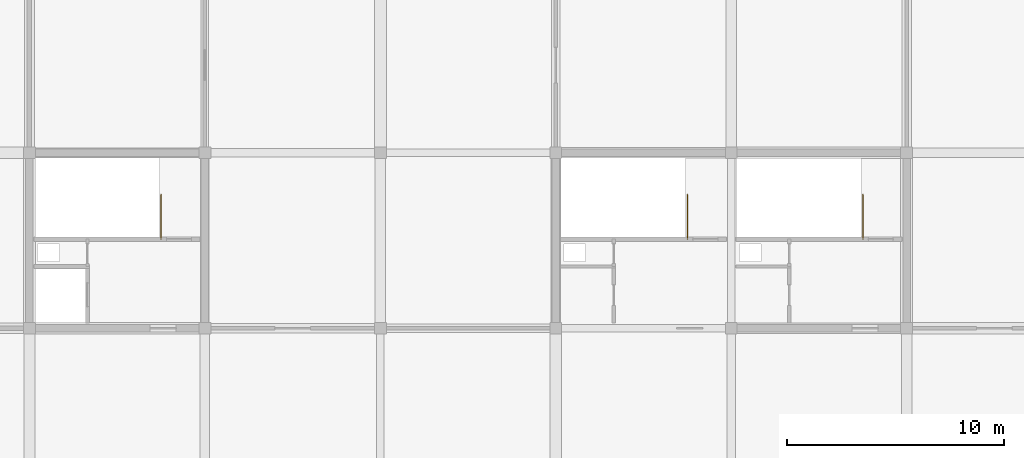
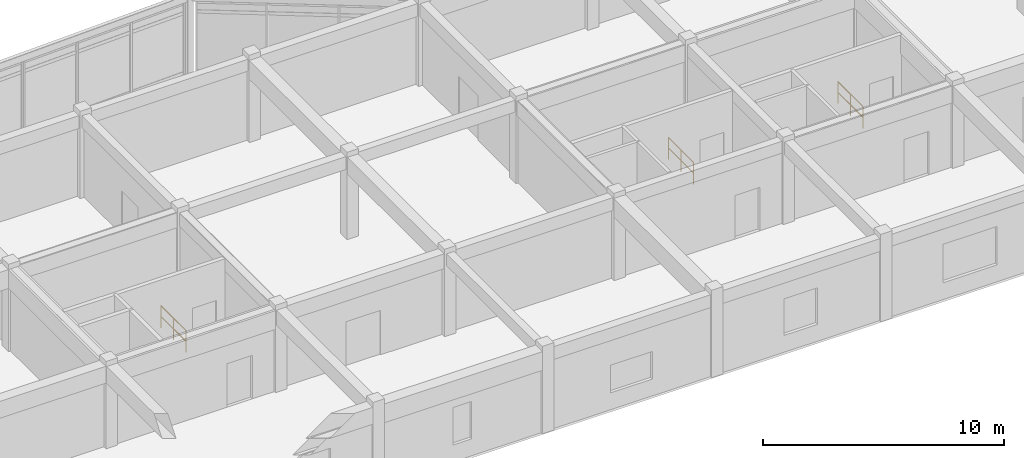
# One storey, part 38 of 40: 3 railings.
"""IFC4 building model written with IfcOpenShell, lengths in metres."""

from ifc_helpers import new_model, si_unit, direction, frame, origin, origin_2d, place, context, subcontext, project, spatial, circle, extrude, material, type_object, element, save


model = new_model("IFC4")

# Units and contexts
model_context = context("Model", 3, precision=1e-05, world=origin(), true_north=direction((0.0, 1.0)))
body_context = subcontext(model_context, "Body", "Model", "MODEL_VIEW")
ifc_project = project(units=[si_unit("LENGTHUNIT", "METRE"), si_unit("AREAUNIT", "SQUARE_METRE"), si_unit("VOLUMEUNIT", "CUBIC_METRE"), si_unit("PLANEANGLEUNIT", "RADIAN"), si_unit("MASSUNIT", "GRAM", prefix="KILO")], contexts=[model_context])

# Site, building, storey
site_placement = place(None, origin())
site = spatial("IfcSite", under=ifc_project, at=site_placement, CompositionType="ELEMENT")
building_placement = place(site_placement, origin())
building = spatial("IfcBuilding", under=site, at=building_placement, Name="Vaudrelin Polytechnic", CompositionType="ELEMENT")
storey_placement = place(building_placement, frame((0.0, 0.0, 22.949951171875)))
storey = spatial("IfcBuildingStorey", under=building, at=storey_placement, Name="L05", CompositionType="ELEMENT", Elevation=22.949951171875)

# Railings
ifc_material = material(Name="Brushed stainless steel AISI 304", Category="steel")
railing_type = type_object("IfcRailingType", Name="RAL-GR-INT", PredefinedType="GUARDRAIL", material=ifc_material)
for number, where, name in (
    (1, (87.080078125, 109.409912109375, 0.0), "ST-02-L04 upper well guardrail"),
    (2, (119.47998046875, 109.409912109375, 0.0), "ST-10-L04 upper well guardrail"),
    (3, (111.3798828125, 109.409912109375, 0.0), "ST-11-L04 upper well guardrail"),
):
    element("IfcRailing", number, at=place(storey_placement, frame(where)), inside=storey, type_object=railing_type, Name=name, PredefinedType="GUARDRAIL", context=body_context, shape_type="SweptSolid", body=[
        extrude(circle(Radius=0.02392578125, at=origin_2d()), frame((0.0, 0.023193359375, 1.09619140625), z_axis=(0.0, 1.0, 0.0), x_axis=(-1.0, 0.0, 0.0)), (0.0, 0.0, 1.0), 2.02392578125),
        extrude(circle(Radius=0.02392578125, at=origin_2d()), frame((0.0, 0.023193359375, 0.56005859375), z_axis=(0.0, 1.0, 0.0), x_axis=(-1.0, 0.0, 0.0)), (0.0, 0.0, 1.0), 2.02392578125),
        extrude(circle(Radius=0.02099609375, at=origin_2d()), origin(), (0.0, 0.0, 1.0), 1.1201171875),
        extrude(circle(Radius=0.02099609375, at=origin_2d()), frame((0.0, 1.03515625, 0.0)), (0.0, 0.0, 1.0), 1.1201171875),
        extrude(circle(Radius=0.02099609375, at=origin_2d()), frame((0.0, 2.070068359375, 0.0)), (0.0, 0.0, 1.0), 1.1201171875),
    ])

save(model, "model.ifc")
